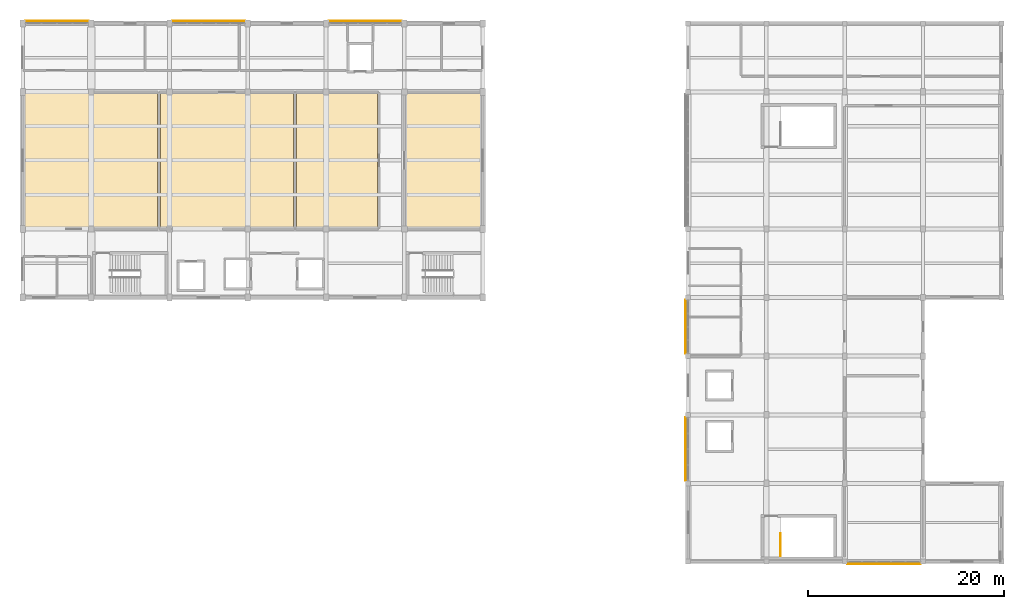
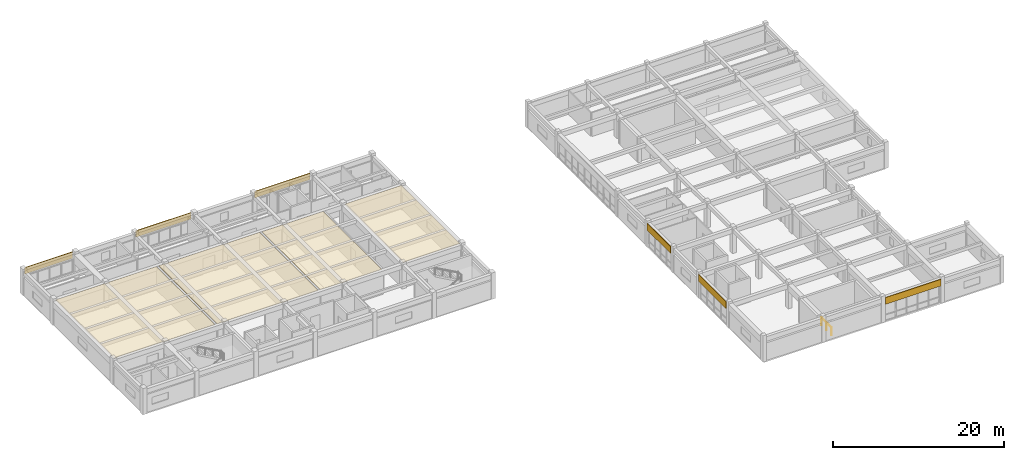
# One storey, part 16 of 17: 10 coverings, 1 railing.
"""IFC4 building model written with IfcOpenShell, lengths in metres."""

from ifc_helpers import new_model, si_unit, direction, frame, origin, origin_2d, place, context, subcontext, project, spatial, polyline, rectangle, circle, outline, extrude, material, layer, layer_set, type_object, element, save


model = new_model("IFC4")

# Units and contexts
model_context = context("Model", 3, precision=1e-05, world=origin(), true_north=direction((0.0, 1.0)))
body_context = subcontext(model_context, "Body", "Model", "MODEL_VIEW")
ifc_project = project(units=[si_unit("LENGTHUNIT", "METRE"), si_unit("AREAUNIT", "SQUARE_METRE"), si_unit("VOLUMEUNIT", "CUBIC_METRE"), si_unit("PLANEANGLEUNIT", "RADIAN"), si_unit("MASSUNIT", "GRAM", prefix="KILO")], contexts=[model_context])

# Site, building, storey
site_placement = place(None, origin())
site = spatial("IfcSite", under=ifc_project, at=site_placement, CompositionType="ELEMENT")
building_placement = place(site_placement, origin())
building = spatial("IfcBuilding", under=site, at=building_placement, Name="Naurynzar Civic Courthouse", CompositionType="ELEMENT")
storey_placement = place(building_placement, frame((0.0, 0.0, 29.550048828125)))
storey = spatial("IfcBuildingStorey", under=building, at=storey_placement, Name="L08", CompositionType="ELEMENT", Elevation=29.550048828125)

# Coverings
ifc_material_1 = material(Name="Acoustic Oak Timber Grade A", Category="wood")
ifc_layer_1 = layer(ifc_material_1, 0.044921875)
ifc_layer_set_1 = layer_set([ifc_layer_1], Name="CEIL-ACOUSTIC-OAK-45")
covering_type_1 = type_object("IfcCoveringType", Name="CEIL-ACOUSTIC-OAK-45", PredefinedType="CEILING", material=ifc_layer_set_1)
covering_1_placement = place(storey_placement, frame((0.0, 0.0, 3.364990234375)))
element("IfcCovering", 1, at=covering_1_placement, inside=storey, type_object=covering_type_1, Name="Acoustic suspended ceiling Intellectual Property Courtroom 8A", PredefinedType="CEILING", context=body_context, shape_type="SweptSolid", body=[
    extrude(outline(polyline([(75.758056640625, 51.159912109375), (62.159912109375, 51.159912109375), (62.159912109375, 64.840087890625), (75.758056640625, 64.840087890625), (75.758056640625, 51.159912109375)])), origin(), (0.0, 0.0, 1.0), 0.044921875),
])
covering_2_placement = place(storey_placement, frame((0.0, 0.0, 3.364990234375)))
element("IfcCovering", 2, at=covering_2_placement, inside=storey, type_object=covering_type_1, Name="Acoustic suspended ceiling Appellate Civil Courtroom 8B", PredefinedType="CEILING", context=body_context, shape_type="SweptSolid", body=[
    extrude(outline(polyline([(89.676025390625, 51.159912109375), (76.077880859375, 51.159912109375), (76.077880859375, 64.840087890625), (89.676025390625, 64.840087890625), (89.676025390625, 51.159912109375)])), origin(), (0.0, 0.0, 1.0), 0.044921875),
])
covering_3_placement = place(storey_placement, frame((0.0, 0.0, 3.364990234375)))
element("IfcCovering", 3, at=covering_3_placement, inside=storey, type_object=covering_type_1, Name="Acoustic suspended ceiling Civil Chamber Courtroom L08-E", PredefinedType="CEILING", context=body_context, shape_type="SweptSolid", body=[
    extrude(outline(polyline([(108.840087890625, 51.159912109375), (101.159912109375, 51.159912109375), (101.159912109375, 64.840087890625), (108.840087890625, 64.840087890625), (108.840087890625, 51.159912109375)])), origin(), (0.0, 0.0, 1.0), 0.044921875),
])
ifc_material_2 = material(Name="Mineral Fibre Acoustic Ceiling")
ifc_layer_2 = layer(ifc_material_2, 0.030029296875)
ifc_layer_set_2 = layer_set([ifc_layer_2], Name="CEIL-MINERAL-30")
covering_type_2 = type_object("IfcCoveringType", Name="CEIL-MINERAL-30", PredefinedType="CEILING", material=ifc_layer_set_2)
covering_4_placement = place(storey_placement, frame((0.0, 0.0, 3.364990234375)))
element("IfcCovering", 4, at=covering_4_placement, inside=storey, type_object=covering_type_2, Name="Acoustic suspended ceiling Jury Deliberation Room 8A", PredefinedType="CEILING", context=body_context, shape_type="SweptSolid", body=[
    extrude(outline(polyline([(98.239990234375, 51.159912109375), (89.99609375, 51.159912109375), (89.99609375, 64.840087890625), (98.239990234375, 64.840087890625), (98.239990234375, 51.159912109375)])), origin(), (0.0, 0.0, 1.0), 0.030029296875),
])
ifc_material_3 = material(Name="Precast concrete C40/50", Category="concrete")
ifc_layer_3 = layer(ifc_material_3, 0.080078125)
ifc_layer_set_3 = layer_set([ifc_layer_3], Name="COV-CLAD-PRECAST-80")
covering_type_3 = type_object("IfcCoveringType", Name="COV-CLAD-PRECAST-80", PredefinedType="CLADDING", material=ifc_layer_set_3)
covering_5_placement = place(storey_placement, frame((65.5, 72.2548828125, 2.56005859375), z_axis=(0.0, 0.0, 1.0), x_axis=(1.0, 0.0, 0.0)))
element("IfcCovering", 5, at=covering_5_placement, inside=storey, type_object=covering_type_3, Name="V2 precast spandrel cladding 54", PredefinedType="CLADDING", context=body_context, shape_type="SweptSolid", body=[
    extrude(rectangle(XDim=6.449951171875, YDim=0.080078125, at=origin_2d()), origin(), (0.0, 0.0, 1.0), 0.909912109375),
])
for number, where, z_axis, x_axis, name in (
    (6, (81.0, 72.2548828125, 2.56005859375), (0.0, 0.0, 1.0), (1.0, 0.0, 0.0), "V2 precast spandrel cladding 55"),
    (7, (97.0, 72.2548828125, 2.56005859375), (0.0, 0.0, 1.0), (1.0, 0.0, 0.0), "V2 precast spandrel cladding 56"),
):
    element("IfcCovering", number, at=place(storey_placement, frame(where, z_axis=z_axis, x_axis=x_axis)), inside=storey, type_object=covering_type_3, Name=name, PredefinedType="CLADDING", context=body_context, shape_type="SweptSolid", body=[
        extrude(rectangle(XDim=7.449951171875, YDim=0.080078125, at=origin_2d()), origin(), (0.0, 0.0, 1.0), 0.909912109375),
    ])
covering_6_placement = place(storey_placement, frame((129.7451171875, 28.5, 2.510009765625), z_axis=(0.0, 0.0, 1.0), x_axis=(0.0, 1.0, 0.0)))
element("IfcCovering", 8, at=covering_6_placement, inside=storey, type_object=covering_type_3, Name="V5 precast spandrel cladding 117", PredefinedType="CLADDING", context=body_context, shape_type="SweptSolid", body=[
    extrude(rectangle(XDim=6.5, YDim=0.080078125, at=origin_2d()), origin(), (0.0, 0.0, 1.0), 0.9599609375),
])
covering_7_placement = place(storey_placement, frame((129.7451171875, 41.0, 2.510009765625), z_axis=(0.0, 0.0, 1.0), x_axis=(0.0, 1.0, 0.0)))
element("IfcCovering", 9, at=covering_7_placement, inside=storey, type_object=covering_type_3, Name="V5 precast spandrel cladding 118", PredefinedType="CLADDING", context=body_context, shape_type="SweptSolid", body=[
    extrude(rectangle(XDim=5.5, YDim=0.080078125, at=origin_2d()), origin(), (0.0, 0.0, 1.0), 0.9599609375),
])
covering_8_placement = place(storey_placement, frame((150.0, 16.7451171875, 2.510009765625), z_axis=(0.0, 0.0, 1.0), x_axis=(-1.0, 0.0, 0.0)))
element("IfcCovering", 10, at=covering_8_placement, inside=storey, type_object=covering_type_3, Name="V5 precast spandrel cladding 120", PredefinedType="CLADDING", context=body_context, shape_type="SweptSolid", body=[
    extrude(rectangle(XDim=7.5, YDim=0.080078125, at=origin_2d()), origin(), (0.0, 0.0, 1.0), 0.9599609375),
])

# Railing
ifc_material_4 = material(Name="Brushed Stainless Steel 304", Category="steel")
railing_type = type_object("IfcRailingType", Name="RAIL-BAL-1100", PredefinedType="BALUSTRADE", material=ifc_material_4)
railing_placement = place(storey_placement, frame((139.43994140625, 17.550048828125, 0.0)))
element("IfcRailing", 11, at=railing_placement, inside=storey, type_object=railing_type, Name="Stair ST-V5A top floor well guard L08", PredefinedType="BALUSTRADE", context=body_context, shape_type="SweptSolid", body=[
    extrude(circle(Radius=0.02392578125, at=origin_2d()), frame((0.0, 0.0, 1.09619140625), z_axis=(0.0, 1.0, 0.0), x_axis=(-1.0, 0.0, 0.0)), (0.0, 0.0, 1.0), 2.31005859375),
    extrude(circle(Radius=0.02099609375, at=origin_2d()), origin(), (0.0, 0.0, 1.0), 1.072021484375),
    extrude(circle(Radius=0.02099609375, at=origin_2d()), frame((0.0, 1.155029296875, 0.0)), (0.0, 0.0, 1.0), 1.072021484375),
    extrude(circle(Radius=0.02099609375, at=origin_2d()), frame((0.0, 2.31005859375, 0.0)), (0.0, 0.0, 1.0), 1.072021484375),
])

save(model, "model.ifc")
